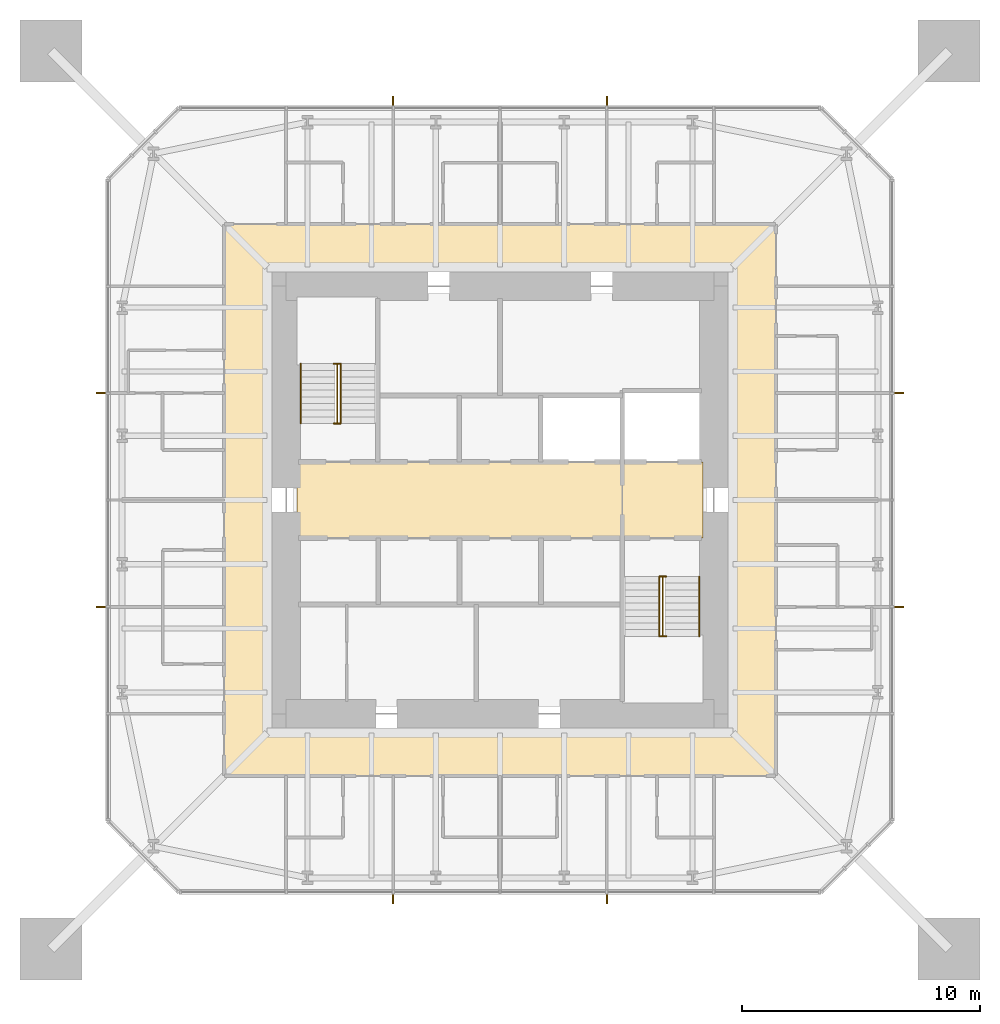
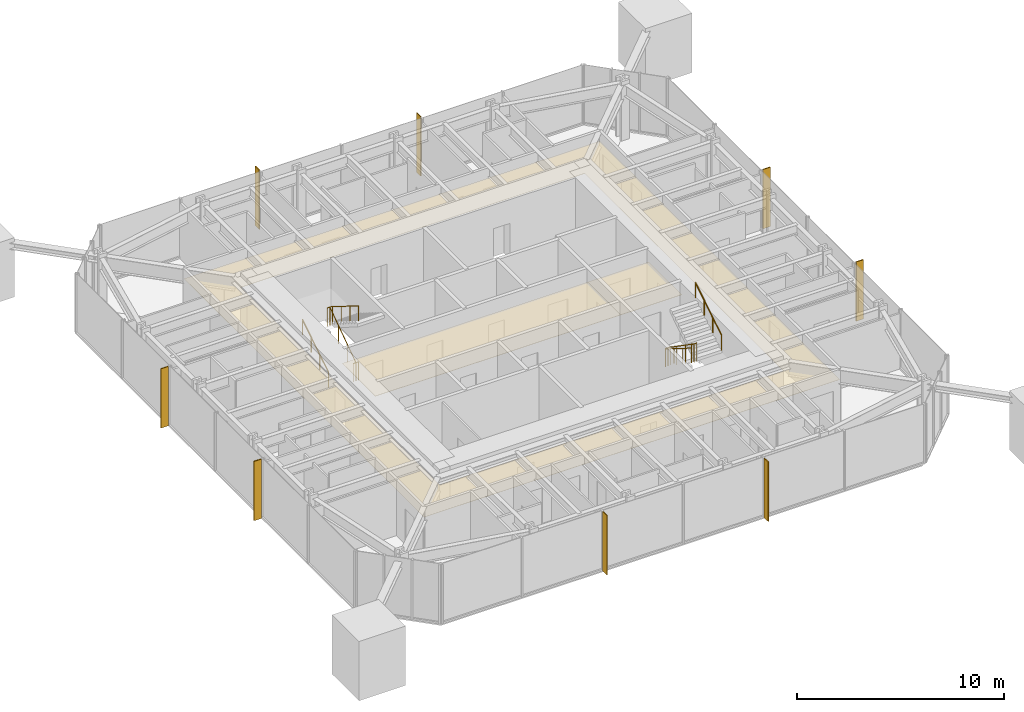
# One storey, part 10 of 10: 8 shading devices, 6 railings, 3 coverings.
"""IFC4 building model written with IfcOpenShell, lengths in metres."""

import ifcopenshell
import ifcopenshell.guid

model = None  # the IFC model being written
_history = None  # IfcOwnerHistory: only IFC2X3 demands one
_inside = {}  # id of a spatial element -> (the spatial element, [elements in it])
_under = {}  # id of a project, library or spatial element -> (it, [spatial elements below it])
_declared = {}  # id of a project -> (the project, [libraries it declares])
_typed = {}  # id of a type object -> (the type object, [elements of that type])
_made_of = {}  # id of a material, layer set ... -> (it, [elements and type objects made of it])


def new_model(schema):
    """Start an empty IFC model of exactly this schema.

    Asked for "IFC4X3", IfcOpenShell would pick the latest addendum, in which some entities
    have other attributes; the version numbers below select the first issue.
    IFC2X3 requires an IfcOwnerHistory on every rooted entity: one is made here for all.
    """
    global model, _history
    if schema == "IFC4X3":
        model = ifcopenshell.file(schema_version=(4, 3, 0, 0))
    else:
        model = ifcopenshell.file(schema=schema)
    _inside.clear()
    _under.clear()
    _declared.clear()
    _typed.clear()
    _made_of.clear()
    _history = None
    if model.schema == "IFC2X3":
        org = make("IfcOrganization", Name="unknown")
        user = make(
            "IfcPersonAndOrganization",
            ThePerson=make("IfcPerson", FamilyName="unknown"),
            TheOrganization=org,
        )
        app = make(
            "IfcApplication",
            ApplicationDeveloper=org,
            Version="unknown",
            ApplicationFullName="unknown",
            ApplicationIdentifier="unknown",
        )
        _history = make(
            "IfcOwnerHistory",
            OwningUser=user,
            OwningApplication=app,
            ChangeAction="ADDED",
            CreationDate=0,
        )
    return model


def make(cls, **values):
    """One entity of the class cls with the attributes given. An attribute that is None is left unset."""
    return model.create_entity(
        cls, **{name: value for name, value in values.items() if value is not None}
    )


def rooted(cls, **values):
    """An entity with a GlobalId (a new one), such as an element, a storey or a relation."""
    return make(cls, GlobalId=ifcopenshell.guid.new(), OwnerHistory=_history, **values)


def si_unit(unit_type, name, prefix=None):
    """IfcSIUnit, for example si_unit("LENGTHUNIT", "METRE", prefix="MILLI")."""
    return make("IfcSIUnit", UnitType=unit_type, Prefix=prefix, Name=name)


def assignment(units):
    """IfcUnitAssignment: the units of a project."""
    return None if units is None else make("IfcUnitAssignment", Units=units)


def point(xyz):
    """IfcCartesianPoint."""
    return None if xyz is None else make("IfcCartesianPoint", Coordinates=xyz)


def direction(xyz):
    """IfcDirection."""
    return None if xyz is None else make("IfcDirection", DirectionRatios=xyz)


def frame(location, z_axis=None, x_axis=None):
    """IfcAxis2Placement3D, a coordinate frame: its origin and axes. An axis left out is left unset."""
    return make(
        "IfcAxis2Placement3D",
        Location=point(location),
        Axis=direction(z_axis),
        RefDirection=direction(x_axis),
    )


def frame_2d(location, x_axis=None):
    """IfcAxis2Placement2D, a coordinate frame in the plane: its origin and x axis."""
    return make(
        "IfcAxis2Placement2D", Location=point(location), RefDirection=direction(x_axis)
    )


def origin():
    """The frame at (0, 0, 0) with its axes left unset."""
    return frame((0.0, 0.0, 0.0))


def origin_2d():
    """The frame at (0, 0) in the plane with its x axis left unset."""
    return frame_2d((0.0, 0.0))


def place(relative_to, where):
    """IfcLocalPlacement: puts the frame where relative to a parent placement (None: the world)."""
    return make(
        "IfcLocalPlacement", PlacementRelTo=relative_to, RelativePlacement=where
    )


def context(
    kind, dimensions, precision=None, world=None, true_north=None, identifier=None
):
    """IfcGeometricRepresentationContext, for example the 3D "Model" context."""
    return make(
        "IfcGeometricRepresentationContext",
        ContextIdentifier=identifier,
        ContextType=kind,
        CoordinateSpaceDimension=dimensions,
        Precision=precision,
        WorldCoordinateSystem=world,
        TrueNorth=true_north,
    )


def subcontext(parent, identifier, kind, view, scale=None):
    """IfcGeometricRepresentationSubContext, for example "Body" below "Model"."""
    return make(
        "IfcGeometricRepresentationSubContext",
        ContextIdentifier=identifier,
        ContextType=kind,
        ParentContext=parent,
        TargetScale=scale,
        TargetView=view,
    )


def project(units=None, contexts=None):
    """IfcProject with its units and contexts."""
    return rooted(
        "IfcProject",
        Name="project",
        RepresentationContexts=contexts,
        UnitsInContext=assignment(units),
    )


def spatial(cls, under=None, at=None, **own):
    """A site, building, storey or space (cls), placed at a placement, below another one or the project."""
    s = rooted(cls, ObjectPlacement=at, **own)
    if under is not None:
        _under.setdefault(under.id(), (under, []))[1].append(s)
    return s


def polyline(points):
    """IfcPolyline through the points."""
    return make("IfcPolyline", Points=[point(p) for p in points])


def profile(cls, at=None, kind="AREA", **sizes):
    """A parametric profile (cls). Its sizes go by their IFC names, for example OverallWidth=200.0."""
    return make(cls, ProfileType=kind, Position=at, **sizes)


def rectangle(**sizes):
    """IfcRectangleProfileDef."""
    return profile("IfcRectangleProfileDef", **sizes)


def circle(**sizes):
    """IfcCircleProfileDef."""
    return profile("IfcCircleProfileDef", **sizes)


def outline(outer, holes=None, kind="AREA"):
    """IfcArbitraryClosedProfileDef: a profile drawn as a closed curve; with holes, ...WithVoids."""
    if holes is None:
        return make("IfcArbitraryClosedProfileDef", ProfileType=kind, OuterCurve=outer)
    return make(
        "IfcArbitraryProfileDefWithVoids",
        ProfileType=kind,
        OuterCurve=outer,
        InnerCurves=holes,
    )


def extrude(swept, where, along, depth):
    """IfcExtrudedAreaSolid: the profile swept, set in the frame where, extruded along a direction by depth."""
    return make(
        "IfcExtrudedAreaSolid",
        SweptArea=swept,
        Position=where,
        ExtrudedDirection=direction(along),
        Depth=depth,
    )


def shape(context_of_items, identifier, shape_type, items):
    """IfcShapeRepresentation: the items that make up one representation, for example the "Body"."""
    return make(
        "IfcShapeRepresentation",
        ContextOfItems=context_of_items,
        RepresentationIdentifier=identifier,
        RepresentationType=shape_type,
        Items=items,
    )


def material(Name=None, Category=None):
    """IfcMaterial."""
    return make("IfcMaterial", Name=Name, Category=Category)


def layer(
    of_material, thickness, ventilated=None, Name=None, Category=None, Priority=None
):
    """IfcMaterialLayer: one layer of a wall or slab, of a material (None: an air gap)."""
    return make(
        "IfcMaterialLayer",
        Material=of_material,
        LayerThickness=thickness,
        IsVentilated=ventilated,
        Name=Name,
        Category=Category,
        Priority=Priority,
    )


def layer_set(layers, Name=None):
    """IfcMaterialLayerSet."""
    return make("IfcMaterialLayerSet", MaterialLayers=layers, LayerSetName=Name)


def constituent(of_material, Name=None, Category=None, fraction=None):
    """IfcMaterialConstituent: one of the materials an element consists of."""
    return make(
        "IfcMaterialConstituent",
        Name=Name,
        Material=of_material,
        Fraction=fraction,
        Category=Category,
    )


def constituent_set(constituents=None, Name=None):
    """IfcMaterialConstituentSet."""
    return make(
        "IfcMaterialConstituentSet", Name=Name, MaterialConstituents=constituents
    )


def made_of(thing, what):
    """Note that an element or type object is made of a material, layer set ...; save() writes the relation."""
    if what is not None:
        _made_of.setdefault(what.id(), (what, []))[1].append(thing)
    return thing


def type_object(cls, material=None, **own):
    """A type object (cls), such as IfcWallType, which elements share."""
    return made_of(rooted(cls, **own), material)


def element(
    cls,
    number,
    at=None,
    inside=None,
    cuts=None,
    type_object=None,
    material=None,
    context=None,
    identifier="Body",
    shape_type=None,
    held_by="IfcProductDefinitionShape",
    body=None,
    shapes=None,
    **own,
):
    """One element of the class cls, such as IfcWall. Its Tag is "e" and its number.

    at: its placement. inside: the storey or other place that contains it. cuts: it is an
    opening in that element (IfcRelVoidsElement). A single representation is given by context,
    identifier, shape_type and body (its items); several are given by shapes. held_by: the class
    of the entity that holds the representations. save() writes the other relations.
    """
    e = rooted(cls, Tag="e%d" % number, ObjectPlacement=at, **own)
    if body is not None:
        shapes = [shape(context, identifier, shape_type, body)]
    if shapes is not None:
        e.Representation = make(held_by, Representations=shapes)
    if inside is not None:
        _inside.setdefault(inside.id(), (inside, []))[1].append(e)
    if cuts is not None:
        rooted(
            "IfcRelVoidsElement", RelatingBuildingElement=cuts, RelatedOpeningElement=e
        )
    if type_object is not None:
        _typed.setdefault(type_object.id(), (type_object, []))[1].append(e)
    return made_of(e, material)


def aggregate(whole, parts):
    """IfcRelAggregates: a whole, such as a stair, and the parts it consists of."""
    return rooted("IfcRelAggregates", RelatingObject=whole, RelatedObjects=parts)


def save(model, path):
    """Write the relations noted so far, then the file.

    IfcRelAggregates (storeys below a building ...), IfcRelContainedInSpatialStructure (elements
    in a storey), IfcRelDefinesByType, IfcRelAssociatesMaterial and IfcRelDeclares: one each for
    every whole, place, type object, material and project.
    """
    for whole, parts in _under.values():
        aggregate(whole, parts)
    for where, things in _inside.values():
        rooted(
            "IfcRelContainedInSpatialStructure",
            RelatedElements=things,
            RelatingStructure=where,
        )
    for kind, things in _typed.values():
        rooted("IfcRelDefinesByType", RelatedObjects=things, RelatingType=kind)
    for what, things in _made_of.values():
        rooted("IfcRelAssociatesMaterial", RelatedObjects=things, RelatingMaterial=what)
    for by, libraries in _declared.values():
        rooted("IfcRelDeclares", RelatingContext=by, RelatedDefinitions=libraries)
    model.write(path)


model = new_model("IFC4")

# Units and contexts
model_context = context("Model", 3, precision=1e-05, world=origin(), true_north=direction((0.0, 1.0)))
body_context = subcontext(model_context, "Body", "Model", "MODEL_VIEW")
ifc_project = project(units=[si_unit("LENGTHUNIT", "METRE"), si_unit("AREAUNIT", "SQUARE_METRE"), si_unit("VOLUMEUNIT", "CUBIC_METRE"), si_unit("PLANEANGLEUNIT", "RADIAN"), si_unit("MASSUNIT", "GRAM", prefix="KILO")], contexts=[model_context])

# Site, building, storey
site_placement = place(None, origin())
site = spatial("IfcSite", under=ifc_project, at=site_placement, CompositionType="ELEMENT")
building_placement = place(site_placement, origin())
building = spatial("IfcBuilding", under=site, at=building_placement, Name="Iwan Alto Co-Living Towers", CompositionType="ELEMENT")
storey_placement = place(building_placement, frame((0.0, 0.0, 225.5)))
storey = spatial("IfcBuildingStorey", under=building, at=storey_placement, Name="L61", CompositionType="ELEMENT", Elevation=225.5)

# Coverings
ifc_material_1 = material(Name="Mineral fibre acoustic tiles on steel grid", Category="steel")
ifc_layer_1 = layer(ifc_material_1, 0.02001953125)
ifc_layer_set_1 = layer_set([ifc_layer_1], Name="ACOUSTIC TILE CEILING 20")
covering_type_1 = type_object("IfcCoveringType", Name="ACOUSTIC TILE CEILING 20", PredefinedType="CEILING", material=ifc_layer_set_1)
covering_1_placement = place(storey_placement, frame((0.0, 0.0, 2.60009765625)))
element("IfcCovering", 1, at=covering_1_placement, inside=storey, type_object=covering_type_1, Name="Ceiling Lift lobby L61", PredefinedType="CEILING", context=body_context, shape_type="SweptSolid", body=[
    extrude(outline(polyline([(-8.550048828125, -1.60009765625), (-8.550048828125, 1.60009765625), (5.14990234375, 1.60009765625), (5.14990234375, -1.60009765625), (-8.550048828125, -1.60009765625)])), origin(), (0.0, 0.0, 1.0), 0.02001953125),
])
covering_2_placement = place(storey_placement, frame((0.0, 0.0, 2.60009765625)))
element("IfcCovering", 2, at=covering_2_placement, inside=storey, type_object=covering_type_1, Name="Ceiling Firefighting lobby L61", PredefinedType="CEILING", context=body_context, shape_type="SweptSolid", body=[
    extrude(outline(polyline([(5.14990234375, -1.60009765625), (5.14990234375, 1.60009765625), (8.550048828125, 1.60009765625), (8.550048828125, -1.60009765625), (5.14990234375, -1.60009765625)])), origin(), (0.0, 0.0, 1.0), 0.02001953125),
])

# Shading devices
ifc_material_2 = material(Name="Aluminium 6063-T6 bronze anodised", Category="aluminium")
ifc_layer_2 = layer(ifc_material_2, 0.050048828125)
ifc_layer_set_2 = layer_set([ifc_layer_2], Name="BRONZE FIN 50X400")
shading_device_type = type_object("IfcShadingDeviceType", Name="BRONZE FIN 50X400", PredefinedType="USERDEFINED", material=ifc_layer_set_2)
for number, where, z_axis, x_axis, name in (
    (3, (-4.5, -16.800048828125, 0.0), (0.0, 0.0, 1.0), (1.0, 0.0, 0.0), "Bronze fin L61"),
    (4, (4.5, -16.800048828125, 0.0), (0.0, 0.0, 1.0), (1.0, 0.0, 0.0), "Bronze fin L61"),
    (5, (16.800048828125, -4.5, 0.0), (0.0, 0.0, 1.0), (0.0, 1.0, 0.0), "Bronze fin L61"),
    (6, (16.800048828125, 4.5, 0.0), (0.0, 0.0, 1.0), (0.0, 1.0, 0.0), "Bronze fin L61"),
    (7, (4.5, 16.800048828125, 0.0), (0.0, 0.0, 1.0), (-1.0, 0.0, 0.0), "Bronze fin L61"),
    (8, (-4.5, 16.800048828125, 0.0), (0.0, 0.0, 1.0), (-1.0, 0.0, 0.0), "Bronze fin L61"),
    (9, (-16.800048828125, 4.5, 0.0), (0.0, 0.0, 1.0), (0.0, -1.0, 0.0), "Bronze fin L61"),
    (10, (-16.800048828125, -4.5, 0.0), (0.0, 0.0, 1.0), (0.0, -1.0, 0.0), "Bronze fin L61"),
):
    element("IfcShadingDevice", number, at=place(storey_placement, frame(where, z_axis=z_axis, x_axis=x_axis)), inside=storey, type_object=shading_device_type, Name=name, ObjectType="LOUVER", PredefinedType="USERDEFINED", context=body_context, shape_type="SweptSolid", body=[
        extrude(rectangle(XDim=0.050048828125, YDim=0.39990234375, at=origin_2d()), origin(), (0.0, 0.0, 1.0), 3.5),
    ])

# Railings
ifc_material_3 = material(Name="Steel ASTM A500 Gr C", Category="steel")
ifc_constituent_1 = constituent(ifc_material_3, Name="Rails and posts", Category="Framing")
ifc_material_4 = material(Name="Steel ASTM A36", Category="steel")
ifc_constituent_2 = constituent(ifc_material_4, Name="Bar infill", Category="Infill")
ifc_constituent_set = constituent_set(constituents=[ifc_constituent_1, ifc_constituent_2], Name="STAIR GUARD 1100")
railing_type_1 = type_object("IfcRailingType", Name="STAIR GUARD 1100", PredefinedType="GUARDRAIL", material=ifc_constituent_set)
railing_1_placement = place(storey_placement, frame((-6.85009765625, 3.219970703125, 0.0)))
element("IfcRailing", 11, at=railing_1_placement, inside=storey, type_object=railing_type_1, Name="Stair T1-S1 well guard L61", PredefinedType="GUARDRAIL", context=body_context, shape_type="SweptSolid", body=[
    extrude(circle(Radius=0.02392578125, at=origin_2d()), frame((0.0, 0.0, 1.076171875), z_axis=(0.0, 0.821372036852, 0.570392826987), x_axis=(-1.0, 0.0, 0.0)), (0.0, 0.0, 1.0), 3.068115234375),
    extrude(circle(Radius=0.02392578125, at=origin_2d()), frame((-0.14990234375, 0.0, 1.076171875), z_axis=(1.0, 0.0, 0.0), x_axis=(0.0, 1.0, 0.0)), (0.0, 0.0, 1.0), 0.300048828125),
    extrude(circle(Radius=0.02392578125, at=origin_2d()), frame((-0.14990234375, 2.52001953125, 2.826171875), z_axis=(1.0, 0.0, 0.0), x_axis=(0.0, 1.0, 0.0)), (0.0, 0.0, 1.0), 0.300048828125),
    extrude(circle(Radius=0.02099609375, at=origin_2d()), origin(), (0.0, 0.0, 1.0), 1.052001953125),
    extrude(circle(Radius=0.02099609375, at=origin_2d()), frame((0.0, 0.840087890625, 0.583251953125)), (0.0, 0.0, 1.0), 1.052001953125),
    extrude(circle(Radius=0.02099609375, at=origin_2d()), frame((0.0, 1.679931640625, 1.166748046875)), (0.0, 0.0, 1.0), 1.052001953125),
    extrude(circle(Radius=0.02099609375, at=origin_2d()), frame((0.0, 2.52001953125, 1.75)), (0.0, 0.0, 1.0), 1.052001953125),
    extrude(circle(Radius=0.02099609375, at=origin_2d()), frame((-0.14990234375, 0.0, 0.0)), (0.0, 0.0, 1.0), 1.052001953125),
    extrude(circle(Radius=0.02099609375, at=origin_2d()), frame((0.150146484375, 0.0, 0.0)), (0.0, 0.0, 1.0), 1.052001953125),
    extrude(circle(Radius=0.02099609375, at=origin_2d()), frame((-0.14990234375, 2.52001953125, 1.75)), (0.0, 0.0, 1.0), 1.052001953125),
    extrude(circle(Radius=0.02099609375, at=origin_2d()), frame((0.150146484375, 2.52001953125, 1.75)), (0.0, 0.0, 1.0), 1.052001953125),
])
railing_2_placement = place(storey_placement, frame((6.85009765625, -3.219970703125, 0.0)))
element("IfcRailing", 12, at=railing_2_placement, inside=storey, type_object=railing_type_1, Name="Stair T1-S2 well guard L61", PredefinedType="GUARDRAIL", context=body_context, shape_type="SweptSolid", body=[
    extrude(circle(Radius=0.02392578125, at=origin_2d()), frame((0.0, 0.0, 1.076171875), z_axis=(0.0, -0.821372036852, 0.570392826987), x_axis=(1.0, 0.0, 0.0)), (0.0, 0.0, 1.0), 3.068115234375),
    extrude(circle(Radius=0.02392578125, at=origin_2d()), frame((-0.150146484375, 0.0, 1.076171875), z_axis=(1.0, 0.0, 0.0), x_axis=(0.0, 1.0, 0.0)), (0.0, 0.0, 1.0), 0.300048828125),
    extrude(circle(Radius=0.02392578125, at=origin_2d()), frame((-0.150146484375, -2.52001953125, 2.826171875), z_axis=(1.0, 0.0, 0.0), x_axis=(0.0, 1.0, 0.0)), (0.0, 0.0, 1.0), 0.300048828125),
    extrude(circle(Radius=0.02099609375, at=origin_2d()), origin(), (0.0, 0.0, 1.0), 1.052001953125),
    extrude(circle(Radius=0.02099609375, at=origin_2d()), frame((0.0, -0.840087890625, 0.583251953125)), (0.0, 0.0, 1.0), 1.052001953125),
    extrude(circle(Radius=0.02099609375, at=origin_2d()), frame((0.0, -1.679931640625, 1.166748046875)), (0.0, 0.0, 1.0), 1.052001953125),
    extrude(circle(Radius=0.02099609375, at=origin_2d()), frame((0.0, -2.52001953125, 1.75)), (0.0, 0.0, 1.0), 1.052001953125),
    extrude(circle(Radius=0.02099609375, at=origin_2d()), frame((-0.150146484375, 0.0, 0.0)), (0.0, 0.0, 1.0), 1.052001953125),
    extrude(circle(Radius=0.02099609375, at=origin_2d()), frame((0.14990234375, 0.0, 0.0)), (0.0, 0.0, 1.0), 1.052001953125),
    extrude(circle(Radius=0.02099609375, at=origin_2d()), frame((-0.150146484375, -2.52001953125, 1.75)), (0.0, 0.0, 1.0), 1.052001953125),
    extrude(circle(Radius=0.02099609375, at=origin_2d()), frame((0.14990234375, -2.52001953125, 1.75)), (0.0, 0.0, 1.0), 1.052001953125),
])
ifc_material_5 = material(Name="Steel ASTM A500 Gr C", Category="steel")
railing_type_2 = type_object("IfcRailingType", Name="STAIR HANDRAIL 900", PredefinedType="HANDRAIL", material=ifc_material_5)
railing_3_placement = place(storey_placement, frame((-8.3798828125, 3.219970703125, 0.175048828125)))
element("IfcRailing", 13, at=railing_3_placement, inside=storey, type_object=railing_type_2, Name="Stair T1-S1 handrail 1 L61", PredefinedType="HANDRAIL", context=body_context, shape_type="SweptSolid", body=[
    extrude(circle(Radius=0.02392578125, at=origin_2d()), frame((0.0, 0.0, 0.8759765625), z_axis=(0.0, 0.848007534815, 0.529984170421), x_axis=(-1.0, 0.0, 0.0)), (0.0, 0.0, 1.0), 2.9716796875),
    extrude(circle(Radius=0.02099609375, at=origin_2d()), origin(), (0.0, 0.0, 1.0), 0.851806640625),
    extrude(circle(Radius=0.02099609375, at=origin_2d()), frame((0.0, 0.840087890625, 0.52490234375)), (0.0, 0.0, 1.0), 0.851806640625),
    extrude(circle(Radius=0.02099609375, at=origin_2d()), frame((0.0, 1.679931640625, 1.050048828125)), (0.0, 0.0, 1.0), 0.851806640625),
    extrude(circle(Radius=0.02099609375, at=origin_2d()), frame((0.0, 2.52001953125, 1.574951171875)), (0.0, 0.0, 1.0), 0.851806640625),
])
for number, where, name in (
    (14, (-6.699951171875, 5.739990234375, 1.925048828125), "Stair T1-S1 handrail 2 L61"),
    (15, (6.699951171875, -3.219970703125, 0.175048828125), "Stair T1-S2 handrail 1 L61"),
):
    element("IfcRailing", number, at=place(storey_placement, frame(where)), inside=storey, type_object=railing_type_2, Name=name, PredefinedType="HANDRAIL", context=body_context, shape_type="SweptSolid", body=[
        extrude(circle(Radius=0.02392578125, at=origin_2d()), frame((0.0, 0.0, 0.8759765625), z_axis=(0.0, -0.848007534815, 0.529984170421), x_axis=(1.0, 0.0, 0.0)), (0.0, 0.0, 1.0), 2.9716796875),
        extrude(circle(Radius=0.02099609375, at=origin_2d()), origin(), (0.0, 0.0, 1.0), 0.851806640625),
        extrude(circle(Radius=0.02099609375, at=origin_2d()), frame((0.0, -0.840087890625, 0.52490234375)), (0.0, 0.0, 1.0), 0.851806640625),
        extrude(circle(Radius=0.02099609375, at=origin_2d()), frame((0.0, -1.679931640625, 1.050048828125)), (0.0, 0.0, 1.0), 0.851806640625),
        extrude(circle(Radius=0.02099609375, at=origin_2d()), frame((0.0, -2.52001953125, 1.574951171875)), (0.0, 0.0, 1.0), 0.851806640625),
    ])
railing_4_placement = place(storey_placement, frame((8.3798828125, -5.739990234375, 1.925048828125)))
element("IfcRailing", 16, at=railing_4_placement, inside=storey, type_object=railing_type_2, Name="Stair T1-S2 handrail 2 L61", PredefinedType="HANDRAIL", context=body_context, shape_type="SweptSolid", body=[
    extrude(circle(Radius=0.02392578125, at=origin_2d()), frame((0.0, 0.0, 0.8759765625), z_axis=(0.0, 0.848007534815, 0.529984170421), x_axis=(-1.0, 0.0, 0.0)), (0.0, 0.0, 1.0), 2.9716796875),
    extrude(circle(Radius=0.02099609375, at=origin_2d()), origin(), (0.0, 0.0, 1.0), 0.851806640625),
    extrude(circle(Radius=0.02099609375, at=origin_2d()), frame((0.0, 0.840087890625, 0.52490234375)), (0.0, 0.0, 1.0), 0.851806640625),
    extrude(circle(Radius=0.02099609375, at=origin_2d()), frame((0.0, 1.679931640625, 1.050048828125)), (0.0, 0.0, 1.0), 0.851806640625),
    extrude(circle(Radius=0.02099609375, at=origin_2d()), frame((0.0, 2.52001953125, 1.574951171875)), (0.0, 0.0, 1.0), 0.851806640625),
])

# Covering
ifc_material_6 = material(Name="Gypsum plasterboard on steel grid", Category="steel")
ifc_layer_3 = layer(ifc_material_6, 0.014892578125)
ifc_layer_set_3 = layer_set([ifc_layer_3], Name="SUSPENDED PLASTERBOARD CEILING 15")
covering_type_2 = type_object("IfcCoveringType", Name="SUSPENDED PLASTERBOARD CEILING 15", PredefinedType="CEILING", material=ifc_layer_set_3)
covering_3_placement = place(storey_placement, frame((0.0, 0.0, 2.60009765625)))
element("IfcCovering", 17, at=covering_3_placement, inside=storey, type_object=covering_type_2, Name="Ceiling Corridor L61", PredefinedType="CEILING", context=body_context, shape_type="SweptSolid", body=[
    extrude(outline(polyline([(-11.60009765625, 11.60009765625), (11.60009765625, 11.60009765625), (11.60009765625, -11.60009765625), (-11.60009765625, -11.60009765625), (-11.60009765625, 11.60009765625)]), holes=[polyline([(-9.60009765625, 9.60009765625), (-9.60009765625, -9.60009765625), (9.60009765625, -9.60009765625), (9.60009765625, 9.60009765625), (-9.60009765625, 9.60009765625)])]), origin(), (0.0, 0.0, 1.0), 0.014892578125),
])

save(model, "model.ifc")
